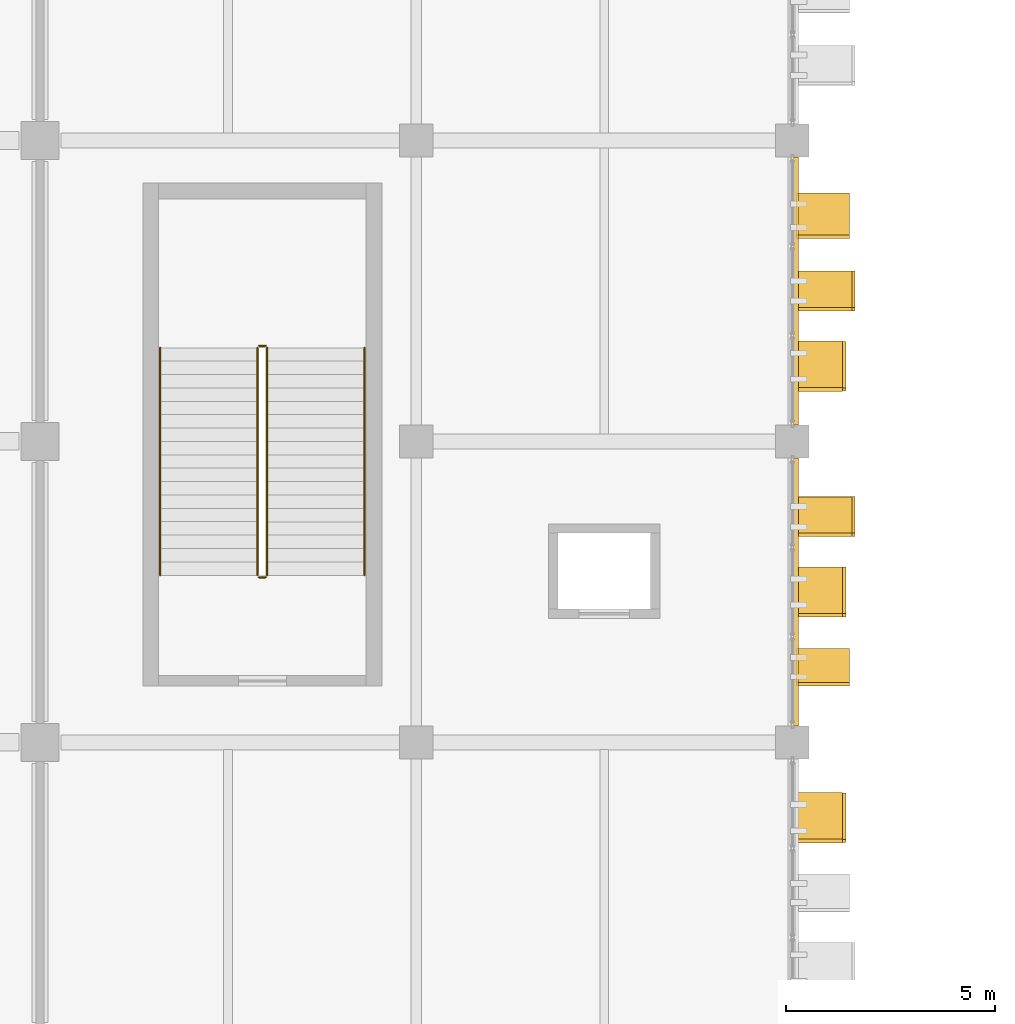
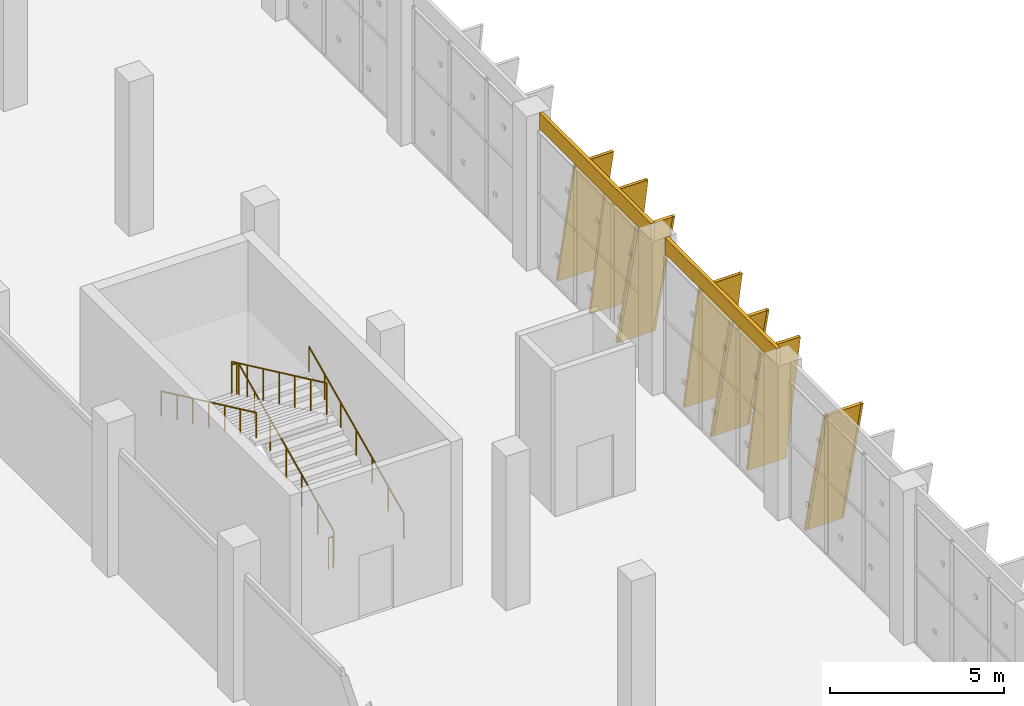
# One storey, part 119 of 137: 9 coverings, 7 shading devices, 6 railings.
"""IFC4 building model written with IfcOpenShell, lengths in metres."""

from ifc_helpers import new_model, si_unit, direction, frame, origin, origin_2d, place, context, subcontext, project, spatial, rectangle, circle, extrude, material, layer, layer_set, material_profile, profile_set, type_object, element, save


model = new_model("IFC4")

# Units and contexts
model_context = context("Model", 3, precision=1e-05, world=origin(), true_north=direction((0.0, 1.0)))
body_context = subcontext(model_context, "Body", "Model", "MODEL_VIEW")
ifc_project = project(units=[si_unit("LENGTHUNIT", "METRE"), si_unit("AREAUNIT", "SQUARE_METRE"), si_unit("VOLUMEUNIT", "CUBIC_METRE"), si_unit("PLANEANGLEUNIT", "RADIAN"), si_unit("MASSUNIT", "GRAM", prefix="KILO")], contexts=[model_context])

# Site, building, storey
site_placement = place(None, origin())
site = spatial("IfcSite", under=ifc_project, at=site_placement, CompositionType="ELEMENT")
building_placement = place(site_placement, origin())
building = spatial("IfcBuilding", under=site, at=building_placement, Name="Celestram Park Convention Centre", CompositionType="ELEMENT")
storey_placement = place(building_placement, origin())
storey = spatial("IfcBuildingStorey", under=building, at=storey_placement, Name="L00", CompositionType="ELEMENT", Elevation=0.0)

# Coverings
ifc_material_1 = material(Name="Anodised Bronze Aluminium Spandrel Cladding", Category="aluminium")
ifc_layer_1 = layer(ifc_material_1, 0.050048828125)
ifc_layer_set_1 = layer_set([ifc_layer_1], Name="Anodised Bronze Aluminium Spandrel Cladding")
covering_type_1 = type_object("IfcCoveringType", Name="ARC-COV-CLD060", PredefinedType="CLADDING", material=ifc_layer_set_1)
for number, where, z_axis, x_axis, name in (
    (1, (144.080078125, 61.199951171875, 4.840087890625), (0.0, 0.0, 1.0), (0.0, -1.0, 0.0), "Bronze spandrel cladding CL-L00-014"),
    (2, (144.080078125, 54.0, 4.840087890625), (0.0, 0.0, 1.0), (0.0, -1.0, 0.0), "Bronze spandrel cladding CL-L00-015"),
):
    element("IfcCovering", number, at=place(storey_placement, frame(where, z_axis=z_axis, x_axis=x_axis)), inside=storey, type_object=covering_type_1, Name=name, PredefinedType="CLADDING", context=body_context, shape_type="SweptSolid", body=[
        extrude(rectangle(XDim=6.404052734375, YDim=0.1201171875, at=origin_2d()), origin(), (0.0, 0.0, 1.0), 0.56005859375),
    ])
ifc_material_2 = material(Name="Timber-Toned Anodised Aluminium Alloy 6063-T6", Category="wood")
ifc_material_profile_1 = material_profile(ifc_material_2, rectangle(XDim=1.1201171875, YDim=0.090087890625, at=origin_2d()), Name="REED1120X90")
ifc_profile_set_1 = profile_set([ifc_material_profile_1], Name="Timber-Toned Anodised Aluminium Alloy 6063-T6")
covering_type_2 = type_object("IfcCoveringType", Name="ARC-COV-FIN1120", PredefinedType="CLADDING", material=ifc_profile_set_1)
covering_1_placement = place(storey_placement, frame((144.639892578125, 59.95751953125, 0.070556640625), z_axis=(0.0, -0.231808084976, 0.972761538991), x_axis=(1.0, 0.0, 0.0)))
element("IfcCovering", 3, at=covering_1_placement, inside=storey, type_object=covering_type_2, Name="Leaning timber-toned reed fin RFN-L00-0046", PredefinedType="CLADDING", context=body_context, shape_type="SweptSolid", body=[
    extrude(rectangle(XDim=1.1201171875, YDim=0.090087890625, at=origin_2d()), origin(), (0.0, 0.0, 1.0), 4.81005859375),
])
covering_2_placement = place(storey_placement, frame((144.639892578125, 54.557373046875, 0.070556640625), z_axis=(0.0, -0.231760054376, 0.972772983381), x_axis=(1.0, 0.0, 0.0)))
element("IfcCovering", 4, at=covering_2_placement, inside=storey, type_object=covering_type_2, Name="Leaning timber-toned reed fin RFN-L00-0048", PredefinedType="CLADDING", context=body_context, shape_type="SweptSolid", body=[
    extrude(rectangle(XDim=1.1201171875, YDim=0.090087890625, at=origin_2d()), origin(), (0.0, 0.0, 1.0), 4.809814453125),
])
covering_3_placement = place(storey_placement, frame((144.639892578125, 49.157470703125, 0.070556640625), z_axis=(0.0, -0.231808084976, 0.972761538991), x_axis=(1.0, 0.0, 0.0)))
element("IfcCovering", 5, at=covering_3_placement, inside=storey, type_object=covering_type_2, Name="Leaning timber-toned reed fin RFN-L00-0050", PredefinedType="CLADDING", context=body_context, shape_type="SweptSolid", body=[
    extrude(rectangle(XDim=1.1201171875, YDim=0.090087890625, at=origin_2d()), origin(), (0.0, 0.0, 1.0), 4.81005859375),
])
ifc_material_profile_2 = material_profile(ifc_material_2, rectangle(XDim=1.280029296875, YDim=0.090087890625, at=origin_2d()), Name="REED1280X90")
ifc_profile_set_2 = profile_set([ifc_material_profile_2], Name="Timber-Toned Anodised Aluminium Alloy 6063-T6")
covering_type_3 = type_object("IfcCoveringType", Name="ARC-COV-FIN1280", PredefinedType="CLADDING", material=ifc_profile_set_2)
covering_4_placement = place(storey_placement, frame((144.719970703125, 63.504150390625, 0.058349609375), z_axis=(0.0, -0.209615741791, 0.977783841549), x_axis=(1.0, 0.0, 0.0)))
element("IfcCovering", 6, at=covering_4_placement, inside=storey, type_object=covering_type_3, Name="Leaning timber-toned reed fin RFN-L00-0044", PredefinedType="CLADDING", context=body_context, shape_type="SweptSolid", body=[
    extrude(rectangle(XDim=1.280029296875, YDim=0.090087890625, at=origin_2d()), origin(), (0.0, 0.0, 1.0), 4.810302734375),
])
covering_5_placement = place(storey_placement, frame((144.719970703125, 52.609375, 0.0400390625), z_axis=(0.0, -0.170240052999, 0.985402620432), x_axis=(1.0, 0.0, 0.0)))
element("IfcCovering", 7, at=covering_5_placement, inside=storey, type_object=covering_type_3, Name="Leaning timber-toned reed fin RFN-L00-0049", PredefinedType="CLADDING", context=body_context, shape_type="SweptSolid", body=[
    extrude(rectangle(XDim=1.280029296875, YDim=0.090087890625, at=origin_2d()), origin(), (0.0, 0.0, 1.0), 4.81005859375),
])
ifc_material_profile_3 = material_profile(ifc_material_2, rectangle(XDim=1.419921875, YDim=0.090087890625, at=origin_2d()), Name="REED1420X90")
ifc_profile_set_3 = profile_set([ifc_material_profile_3], Name="Timber-Toned Anodised Aluminium Alloy 6063-T6")
covering_type_4 = type_object("IfcCoveringType", Name="ARC-COV-FIN1420", PredefinedType="CLADDING", material=ifc_profile_set_3)
for number, where, z_axis, x_axis, name in (
    (8, (144.7900390625, 61.634033203125, 0.04443359375), (0.0, -0.180493192635, 0.983576233656), (1.0, 0.0, 0.0), "Leaning timber-toned reed fin RFN-L00-0045"),
    (9, (144.7900390625, 56.234130859375, 0.04443359375), (0.0, -0.180493192635, 0.983576233656), (1.0, 0.0, 0.0), "Leaning timber-toned reed fin RFN-L00-0047"),
):
    element("IfcCovering", number, at=place(storey_placement, frame(where, z_axis=z_axis, x_axis=x_axis)), inside=storey, type_object=covering_type_4, Name=name, PredefinedType="CLADDING", context=body_context, shape_type="SweptSolid", body=[
        extrude(rectangle(XDim=1.419921875, YDim=0.090087890625, at=origin_2d()), origin(), (0.0, 0.0, 1.0), 4.81005859375),
    ])

# Shading devices
ifc_material_3 = material(Name="Anodised Bronze Aluminium Alloy 6063-T6", Category="aluminium")
ifc_material_profile_4 = material_profile(ifc_material_3, rectangle(XDim=1.280029296875, YDim=0.080078125, at=origin_2d()), Name="FIN1280X80")
ifc_profile_set_4 = profile_set([ifc_material_profile_4], Name="Anodised Bronze Aluminium Alloy 6063-T6")
shading_device_type = type_object("IfcShadingDeviceType", Name="ARC-FIN-BZ1280", PredefinedType="USERDEFINED", material=ifc_profile_set_4)
shading_device_1_placement = place(storey_placement, frame((144.719970703125, 63.504150390625, 0.058349609375), z_axis=(0.0, -0.209615741791, 0.977783841549), x_axis=(1.0, 0.0, 0.0)))
element("IfcShadingDevice", 10, at=shading_device_1_placement, inside=storey, type_object=shading_device_type, Name="Expressive solar fin FN-L00-0044", ObjectType="SOLAR_FIN", PredefinedType="USERDEFINED", context=body_context, shape_type="SweptSolid", body=[
    extrude(rectangle(XDim=1.280029296875, YDim=0.080078125, at=origin_2d()), origin(), (0.0, 0.0, 1.0), 4.810302734375),
])
for number, where, z_axis, x_axis, name in (
    (11, (144.7900390625, 61.634033203125, 0.04443359375), (0.0, -0.180493192635, 0.983576233656), (1.0, 0.0, 0.0), "Expressive solar fin FN-L00-0045"),
    (12, (144.639892578125, 59.95751953125, 0.070556640625), (0.0, -0.231808084976, 0.972761538991), (1.0, 0.0, 0.0), "Expressive solar fin FN-L00-0046"),
    (13, (144.7900390625, 56.234130859375, 0.04443359375), (0.0, -0.180493192635, 0.983576233656), (1.0, 0.0, 0.0), "Expressive solar fin FN-L00-0047"),
):
    element("IfcShadingDevice", number, at=place(storey_placement, frame(where, z_axis=z_axis, x_axis=x_axis)), inside=storey, type_object=shading_device_type, Name=name, ObjectType="SOLAR_FIN", PredefinedType="USERDEFINED", context=body_context, shape_type="SweptSolid", body=[
        extrude(rectangle(XDim=1.280029296875, YDim=0.080078125, at=origin_2d()), origin(), (0.0, 0.0, 1.0), 4.81005859375),
    ])
shading_device_2_placement = place(storey_placement, frame((144.639892578125, 54.557373046875, 0.070556640625), z_axis=(0.0, -0.231760054376, 0.972772983381), x_axis=(1.0, 0.0, 0.0)))
element("IfcShadingDevice", 14, at=shading_device_2_placement, inside=storey, type_object=shading_device_type, Name="Expressive solar fin FN-L00-0048", ObjectType="SOLAR_FIN", PredefinedType="USERDEFINED", context=body_context, shape_type="SweptSolid", body=[
    extrude(rectangle(XDim=1.280029296875, YDim=0.080078125, at=origin_2d()), origin(), (0.0, 0.0, 1.0), 4.809814453125),
])
for number, where, z_axis, x_axis, name in (
    (15, (144.719970703125, 52.609375, 0.0400390625), (0.0, -0.170240052999, 0.985402620432), (1.0, 0.0, 0.0), "Expressive solar fin FN-L00-0049"),
    (16, (144.639892578125, 49.157470703125, 0.070556640625), (0.0, -0.231808084976, 0.972761538991), (1.0, 0.0, 0.0), "Expressive solar fin FN-L00-0050"),
):
    element("IfcShadingDevice", number, at=place(storey_placement, frame(where, z_axis=z_axis, x_axis=x_axis)), inside=storey, type_object=shading_device_type, Name=name, ObjectType="SOLAR_FIN", PredefinedType="USERDEFINED", context=body_context, shape_type="SweptSolid", body=[
        extrude(rectangle(XDim=1.280029296875, YDim=0.080078125, at=origin_2d()), origin(), (0.0, 0.0, 1.0), 4.81005859375),
    ])

# Railings
ifc_material_4 = material(Name="Stainless Steel AISI 316L & Laminated Glass", Category="steel")
ifc_layer_2 = layer(ifc_material_4, 0.06005859375)
ifc_layer_set_2 = layer_set([ifc_layer_2], Name="Stainless Steel AISI 316L & Laminated Glass")
railing_type_1 = type_object("IfcRailingType", Name="ARC-RL-GRD1120", PredefinedType="GUARDRAIL", material=ifc_layer_set_2)
railing_1_placement = place(storey_placement, frame((131.43603515625, 54.39990234375, 0.14990234375)))
element("IfcRailing", 17, at=railing_1_placement, inside=storey, type_object=railing_type_1, Name="L00 ST-04 stair guard 1", PredefinedType="GUARDRAIL", context=body_context, shape_type="SweptSolid", body=[
    extrude(circle(Radius=0.02392578125, at=origin_2d()), frame((0.0, 0.0, 1.09619140625), z_axis=(0.0, 0.905461375974, 0.424428670827), x_axis=(-1.0, 0.0, 0.0)), (0.0, 0.0, 1.0), 6.00830078125),
    extrude(circle(Radius=0.02099609375, at=origin_2d()), origin(), (0.0, 0.0, 1.0), 1.072021484375),
    extrude(circle(Radius=0.02099609375, at=origin_2d()), frame((0.0, 0.90673828125, 0.425048828125)), (0.0, 0.0, 1.0), 1.072021484375),
    extrude(circle(Radius=0.02099609375, at=origin_2d()), frame((0.0, 1.8134765625, 0.85009765625)), (0.0, 0.0, 1.0), 1.072021484375),
    extrude(circle(Radius=0.02099609375, at=origin_2d()), frame((0.0, 2.72021484375, 1.27490234375)), (0.0, 0.0, 1.0), 1.072021484375),
    extrude(circle(Radius=0.02099609375, at=origin_2d()), frame((0.0, 3.626708984375, 1.699951171875)), (0.0, 0.0, 1.0), 1.072021484375),
    extrude(circle(Radius=0.02099609375, at=origin_2d()), frame((0.0, 4.533447265625, 2.125)), (0.0, 0.0, 1.0), 1.072021484375),
    extrude(circle(Radius=0.02099609375, at=origin_2d()), frame((0.0, 5.440185546875, 2.550048828125)), (0.0, 0.0, 1.0), 1.072021484375),
])
railing_2_placement = place(storey_placement, frame((131.39990234375, 59.889892578125, 2.699951171875)))
element("IfcRailing", 18, at=railing_2_placement, inside=storey, type_object=railing_type_1, Name="L00 ST-04 stair guard 2", PredefinedType="GUARDRAIL", context=body_context, shape_type="SweptSolid", body=[
    extrude(circle(Radius=0.02392578125, at=origin_2d()), frame((0.0, 0.0, 1.09619140625), z_axis=(-1.0, 0.0, 0.0), x_axis=(0.0, -1.0, 0.0)), (0.0, 0.0, 1.0), 0.159912109375),
    extrude(circle(Radius=0.02099609375, at=origin_2d()), origin(), (0.0, 0.0, 1.0), 1.072021484375),
    extrude(circle(Radius=0.02099609375, at=origin_2d()), frame((-0.159912109375, 0.0, 0.0)), (0.0, 0.0, 1.0), 1.072021484375),
])
railing_3_placement = place(storey_placement, frame((131.2041015625, 59.840087890625, 2.85009765625)))
element("IfcRailing", 19, at=railing_3_placement, inside=storey, type_object=railing_type_1, Name="L00 ST-04 stair guard 3", PredefinedType="GUARDRAIL", context=body_context, shape_type="SweptSolid", body=[
    extrude(circle(Radius=0.02392578125, at=origin_2d()), frame((0.0, 0.0, 1.09619140625), z_axis=(0.0, -0.90547699167, 0.424395355248), x_axis=(1.0, 0.0, 0.0)), (0.0, 0.0, 1.0), 6.008056640625),
    extrude(circle(Radius=0.02099609375, at=origin_2d()), origin(), (0.0, 0.0, 1.0), 1.072021484375),
    extrude(circle(Radius=0.02099609375, at=origin_2d()), frame((0.0, -0.90673828125, 0.425048828125)), (0.0, 0.0, 1.0), 1.072021484375),
    extrude(circle(Radius=0.02099609375, at=origin_2d()), frame((0.0, -1.8134765625, 0.849853515625)), (0.0, 0.0, 1.0), 1.072021484375),
    extrude(circle(Radius=0.02099609375, at=origin_2d()), frame((0.0, -2.72021484375, 1.27490234375)), (0.0, 0.0, 1.0), 1.072021484375),
    extrude(circle(Radius=0.02099609375, at=origin_2d()), frame((0.0, -3.626708984375, 1.699951171875)), (0.0, 0.0, 1.0), 1.072021484375),
    extrude(circle(Radius=0.02099609375, at=origin_2d()), frame((0.0, -4.533447265625, 2.124755859375)), (0.0, 0.0, 1.0), 1.072021484375),
    extrude(circle(Radius=0.02099609375, at=origin_2d()), frame((0.0, -5.440185546875, 2.5498046875)), (0.0, 0.0, 1.0), 1.072021484375),
])
railing_4_placement = place(storey_placement, frame((131.39990234375, 54.35009765625, 0.0)))
element("IfcRailing", 20, at=railing_4_placement, inside=storey, type_object=railing_type_1, Name="L00 ST-04 stair guard 4", PredefinedType="GUARDRAIL", context=body_context, shape_type="SweptSolid", body=[
    extrude(circle(Radius=0.02392578125, at=origin_2d()), frame((0.0, 0.0, 1.09619140625), z_axis=(-1.0, 0.0, 0.0), x_axis=(0.0, -1.0, 0.0)), (0.0, 0.0, 1.0), 0.159912109375),
    extrude(circle(Radius=0.02099609375, at=origin_2d()), origin(), (0.0, 0.0, 1.0), 1.072021484375),
    extrude(circle(Radius=0.02099609375, at=origin_2d()), frame((-0.159912109375, 0.0, 0.0)), (0.0, 0.0, 1.0), 1.072021484375),
])
ifc_material_5 = material(Name="Brushed Stainless Steel AISI 304", Category="steel")
ifc_layer_3 = layer(ifc_material_5, 0.048095703125)
ifc_layer_set_3 = layer_set([ifc_layer_3], Name="Brushed Stainless Steel AISI 304")
railing_type_2 = type_object("IfcRailingType", Name="ARC-RL-HND915", PredefinedType="HANDRAIL", material=ifc_layer_set_3)
railing_5_placement = place(storey_placement, frame((133.763916015625, 54.39990234375, 0.14990234375)))
element("IfcRailing", 21, at=railing_5_placement, inside=storey, type_object=railing_type_2, Name="L00 ST-04 stair handrail 1", PredefinedType="HANDRAIL", context=body_context, shape_type="SweptSolid", body=[
    extrude(circle(Radius=0.02392578125, at=origin_2d()), frame((0.0, 0.0, 0.8759765625), z_axis=(0.0, 0.905461375974, 0.424428670827), x_axis=(-1.0, 0.0, 0.0)), (0.0, 0.0, 1.0), 6.00830078125),
    extrude(circle(Radius=0.02099609375, at=origin_2d()), origin(), (0.0, 0.0, 1.0), 0.851806640625),
    extrude(circle(Radius=0.02099609375, at=origin_2d()), frame((0.0, 0.90673828125, 0.425048828125)), (0.0, 0.0, 1.0), 0.851806640625),
    extrude(circle(Radius=0.02099609375, at=origin_2d()), frame((0.0, 1.8134765625, 0.85009765625)), (0.0, 0.0, 1.0), 0.851806640625),
    extrude(circle(Radius=0.02099609375, at=origin_2d()), frame((0.0, 2.72021484375, 1.27490234375)), (0.0, 0.0, 1.0), 0.851806640625),
    extrude(circle(Radius=0.02099609375, at=origin_2d()), frame((0.0, 3.626708984375, 1.699951171875)), (0.0, 0.0, 1.0), 0.851806640625),
    extrude(circle(Radius=0.02099609375, at=origin_2d()), frame((0.0, 4.533447265625, 2.125)), (0.0, 0.0, 1.0), 0.851806640625),
    extrude(circle(Radius=0.02099609375, at=origin_2d()), frame((0.0, 5.440185546875, 2.550048828125)), (0.0, 0.0, 1.0), 0.851806640625),
])
railing_6_placement = place(storey_placement, frame((128.8759765625, 59.840087890625, 2.85009765625)))
element("IfcRailing", 22, at=railing_6_placement, inside=storey, type_object=railing_type_2, Name="L00 ST-04 stair handrail 2", PredefinedType="HANDRAIL", context=body_context, shape_type="SweptSolid", body=[
    extrude(circle(Radius=0.02392578125, at=origin_2d()), frame((0.0, 0.0, 0.8759765625), z_axis=(0.0, -0.90547699167, 0.424395355248), x_axis=(1.0, 0.0, 0.0)), (0.0, 0.0, 1.0), 6.008056640625),
    extrude(circle(Radius=0.02099609375, at=origin_2d()), origin(), (0.0, 0.0, 1.0), 0.851806640625),
    extrude(circle(Radius=0.02099609375, at=origin_2d()), frame((0.0, -0.90673828125, 0.425048828125)), (0.0, 0.0, 1.0), 0.851806640625),
    extrude(circle(Radius=0.02099609375, at=origin_2d()), frame((0.0, -1.8134765625, 0.849853515625)), (0.0, 0.0, 1.0), 0.851806640625),
    extrude(circle(Radius=0.02099609375, at=origin_2d()), frame((0.0, -2.72021484375, 1.27490234375)), (0.0, 0.0, 1.0), 0.851806640625),
    extrude(circle(Radius=0.02099609375, at=origin_2d()), frame((0.0, -3.626708984375, 1.699951171875)), (0.0, 0.0, 1.0), 0.851806640625),
    extrude(circle(Radius=0.02099609375, at=origin_2d()), frame((0.0, -4.533447265625, 2.124755859375)), (0.0, 0.0, 1.0), 0.851806640625),
    extrude(circle(Radius=0.02099609375, at=origin_2d()), frame((0.0, -5.440185546875, 2.5498046875)), (0.0, 0.0, 1.0), 0.851806640625),
])

save(model, "model.ifc")
